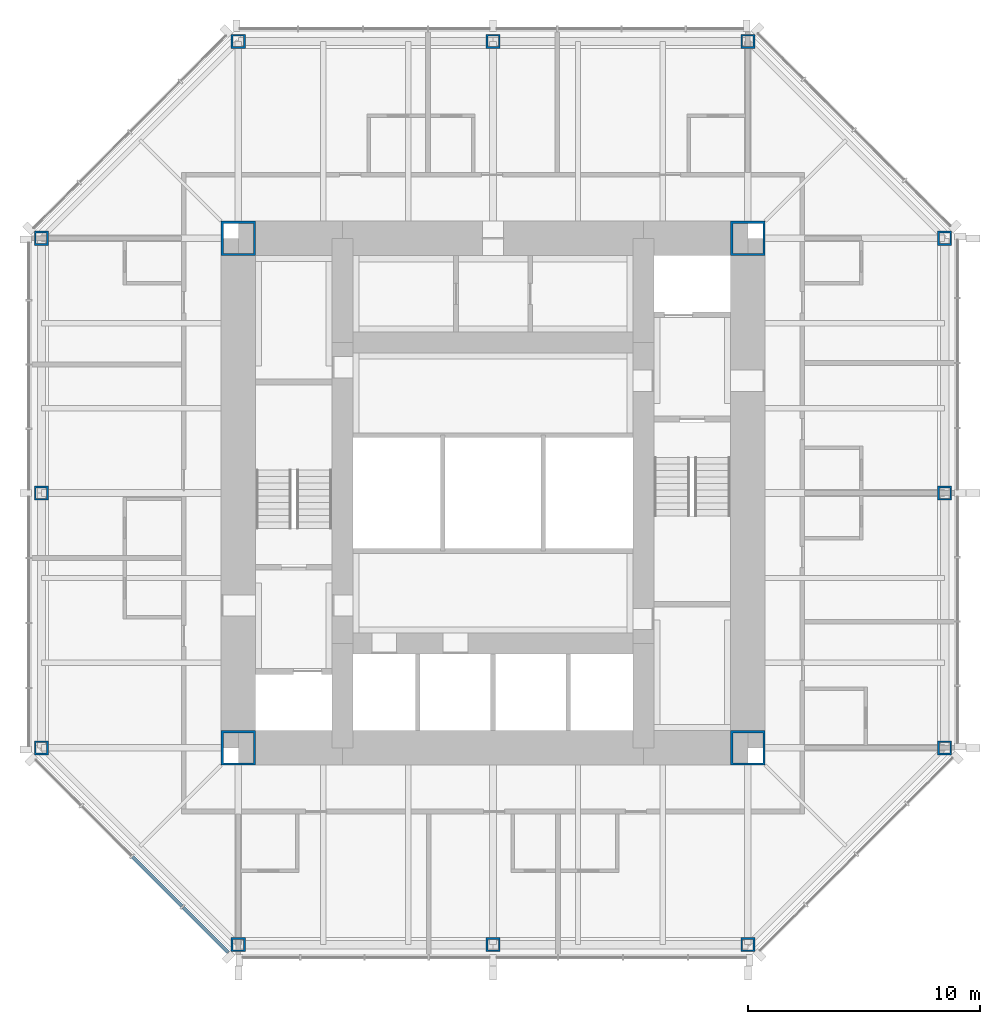
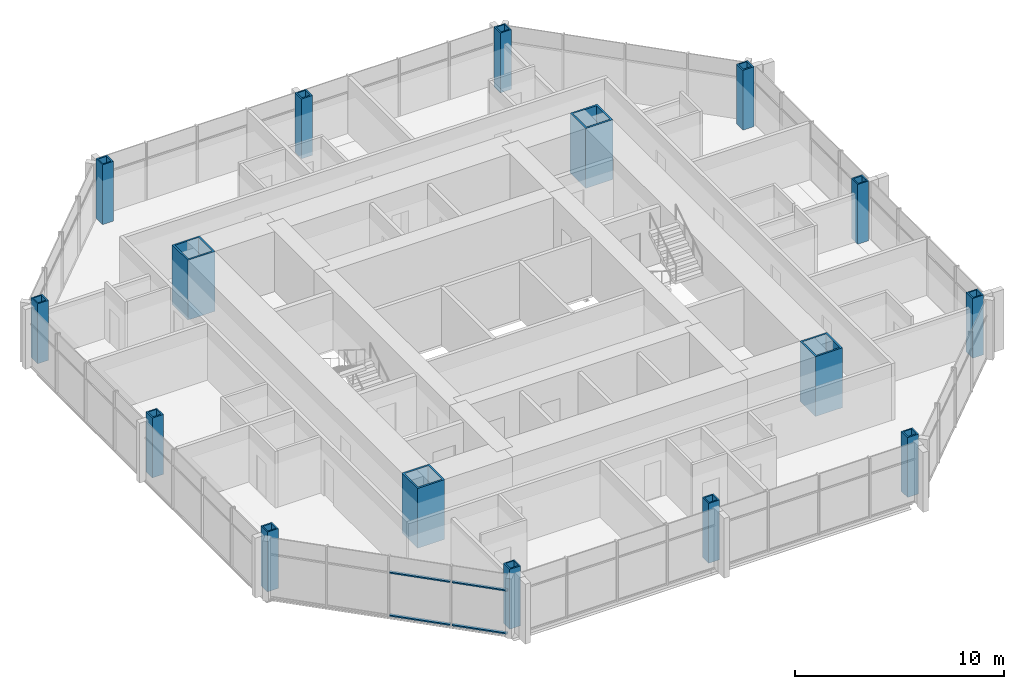
# One storey, part 1 of 11: 16 columns, 4 members, 1 element without a shape of its own.
"""IFC4 building model written with IfcOpenShell, lengths in metres."""

from ifc_helpers import new_model, si_unit, direction, frame, origin, origin_2d, place, context, subcontext, project, spatial, rectangle, hollow_rectangle, extrude, material, material_profile, profile_set, type_object, element, aggregate, save


model = new_model("IFC4")

# Units and contexts
model_context = context("Model", 3, precision=1e-05, world=origin(), true_north=direction((0.0, 1.0)))
body_context = subcontext(model_context, "Body", "Model", "MODEL_VIEW")
ifc_project = project(units=[si_unit("LENGTHUNIT", "METRE"), si_unit("AREAUNIT", "SQUARE_METRE"), si_unit("VOLUMEUNIT", "CUBIC_METRE"), si_unit("PLANEANGLEUNIT", "RADIAN"), si_unit("MASSUNIT", "GRAM", prefix="KILO")], contexts=[model_context])

# Site, building, storey
site_placement = place(None, origin())
site = spatial("IfcSite", under=ifc_project, at=site_placement, CompositionType="ELEMENT")
building_placement = place(site_placement, origin())
building = spatial("IfcBuilding", under=site, at=building_placement, Name="Trevanion Tower", CompositionType="ELEMENT")
storey_placement = place(building_placement, frame((0.0, 0.0, 218.699951171875)))
storey = spatial("IfcBuildingStorey", under=building, at=storey_placement, Name="L52", CompositionType="ELEMENT", Elevation=218.699951171875)

# Columns
ifc_material_1 = material(Name="Steel ASTM A572 Grade 50", Category="steel")
ifc_material_profile_1 = material_profile(ifc_material_1, hollow_rectangle(XDim=0.609619140625, YDim=0.609619140625, WallThickness=0.076171875, at=origin_2d()), Name="BOX24X24X3")
ifc_profile_set_1 = profile_set([ifc_material_profile_1], Name="Steel ASTM A572 Grade 50")
column_type_1 = type_object("IfcColumnType", Name="C5 BOX24X24X3", PredefinedType="COLUMN", material=ifc_profile_set_1)
for number, where, z_axis, x_axis, name in (
    (1, (-19.5, 0.0, 0.0), (0.0, 0.0, 1.0), (0.0, 1.0, 0.0), "C5 5/H L52"),
    (2, (-19.5, -11.0, 0.0), (0.0, 0.0, 1.0), (0.0, 1.0, 0.0), "C5 5/F L52"),
    (3, (-11.0, -19.5, 0.0), (0.0, 0.0, 1.0), (1.0, 0.0, 0.0), "C5 8/C L52"),
    (4, (0.0, -19.5, 0.0), (0.0, 0.0, 1.0), (1.0, 0.0, 0.0), "C5 10/C L52"),
    (5, (11.0, -19.5, 0.0), (0.0, 0.0, 1.0), (1.0, 0.0, 0.0), "C5 12/C L52"),
    (6, (19.5, -11.0, 0.0), (0.0, 0.0, 1.0), (0.0, 1.0, 0.0), "C5 15/F L52"),
    (7, (19.5, 0.0, 0.0), (0.0, 0.0, 1.0), (0.0, 1.0, 0.0), "C5 15/H L52"),
    (8, (19.5, 11.0, 0.0), (0.0, 0.0, 1.0), (0.0, 1.0, 0.0), "C5 15/K L52"),
    (9, (11.0, 19.5, 0.0), (0.0, 0.0, 1.0), (1.0, 0.0, 0.0), "C5 12/N L52"),
    (10, (0.0, 19.5, 0.0), (0.0, 0.0, 1.0), (1.0, 0.0, 0.0), "C5 10/N L52"),
    (11, (-11.0, 19.5, 0.0), (0.0, 0.0, 1.0), (1.0, 0.0, 0.0), "C5 8/N L52"),
    (12, (-19.5, 11.0, 0.0), (0.0, 0.0, 1.0), (0.0, 1.0, 0.0), "C5 5/K L52"),
):
    element("IfcColumn", number, at=place(storey_placement, frame(where, z_axis=z_axis, x_axis=x_axis)), inside=storey, type_object=column_type_1, Name=name, PredefinedType="COLUMN", context=body_context, shape_type="SweptSolid", body=[
        extrude(hollow_rectangle(XDim=0.609619140625, YDim=0.609619140625, WallThickness=0.076171875, at=origin_2d()), origin(), (0.0, 0.0, 1.0), 3.5),
    ])
ifc_material_2 = material(Name="Steel ASTM A572 Grade 50", Category="steel")
ifc_material_profile_2 = material_profile(ifc_material_2, hollow_rectangle(XDim=1.49853515625, YDim=1.49853515625, WallThickness=0.1015625, at=origin_2d()), Name="BOX59X59X4")
ifc_profile_set_2 = profile_set([ifc_material_profile_2], Name="Steel ASTM A572 Grade 50")
column_type_2 = type_object("IfcColumnType", Name="CB1 BOX59X59X4", PredefinedType="COLUMN", material=ifc_profile_set_2)
for number, where, z_axis, x_axis, name in (
    (13, (11.0, 11.0, 0.0), (0.0, 0.0, 1.0), (1.0, 0.0, 0.0), "CB1 NE L52"),
    (14, (-11.0, 11.0, 0.0), (0.0, 0.0, 1.0), (1.0, 0.0, 0.0), "CB1 NW L52"),
    (15, (-11.0, -11.0, 0.0), (0.0, 0.0, 1.0), (1.0, 0.0, 0.0), "CB1 SW L52"),
    (16, (11.0, -11.0, 0.0), (0.0, 0.0, 1.0), (1.0, 0.0, 0.0), "CB1 SE L52"),
):
    element("IfcColumn", number, at=place(storey_placement, frame(where, z_axis=z_axis, x_axis=x_axis)), inside=storey, type_object=column_type_2, Name=name, PredefinedType="COLUMN", context=body_context, shape_type="SweptSolid", body=[
        extrude(hollow_rectangle(XDim=1.49853515625, YDim=1.49853515625, WallThickness=0.1015625, at=origin_2d()), origin(), (0.0, 0.0, 1.0), 3.5),
    ])

# Curtain wall, members
ifc_material_3 = material(Name="Aluminium and glass", Category="aluminium")
curtain_wall_type = type_object("IfcCurtainWallType", Name="CW3 curtain wall", PredefinedType="USERDEFINED", material=ifc_material_3)
curtain_wall_placement = place(storey_placement, origin())
curtain_wall = element("IfcCurtainWall", 17, at=curtain_wall_placement, inside=storey, type_object=curtain_wall_type, Name="CW3 L52 5", ObjectType="UNITISED CURTAIN WALL", PredefinedType="USERDEFINED")
ifc_material_4 = material(Name="Aluminium extrusion, anodised bronze", Category="aluminium")
ifc_material_profile_3 = material_profile(ifc_material_4, rectangle(XDim=0.14990234375, YDim=0.074951171875, at=origin_2d()), Name="CW3 transom")
ifc_profile_set_3 = profile_set([ifc_material_profile_3], Name="Aluminium extrusion, anodised bronze")
member_type = type_object("IfcMemberType", Name="CW3 transom", PredefinedType="USERDEFINED", material=ifc_profile_set_3)
member_1_placement = place(storey_placement, frame((-15.56640625, -15.71142578125, -0.15234375), z_axis=(0.707106781187, -0.707106781187, 0.0), x_axis=(0.707106781187, 0.707106781187, 0.0)))
member_1 = element("IfcMember", 18, at=member_1_placement, type_object=member_type, Name="CW3 transom 3.1", ObjectType="TRANSOM", PredefinedType="USERDEFINED", context=body_context, shape_type="SweptSolid", body=[
    extrude(rectangle(XDim=0.14990234375, YDim=0.074951171875, at=origin_2d()), origin(), (0.0, 0.0, 1.0), 3.011474609375),
])
member_2_placement = place(storey_placement, frame((-15.56640625, -15.71142578125, 2.360107421875), z_axis=(0.707106781187, -0.707106781187, 0.0), x_axis=(0.707106781187, 0.707106781187, 0.0)))
member_2 = element("IfcMember", 19, at=member_2_placement, type_object=member_type, Name="CW3 transom 3.2", ObjectType="TRANSOM", PredefinedType="USERDEFINED", context=body_context, shape_type="SweptSolid", body=[
    extrude(rectangle(XDim=0.14990234375, YDim=0.074951171875, at=origin_2d()), origin(), (0.0, 0.0, 1.0), 3.011474609375),
])
member_3_placement = place(storey_placement, frame((-13.3837890625, -17.89404296875, -0.15234375), z_axis=(0.707106781187, -0.707106781187, 0.0), x_axis=(0.707106781187, 0.707106781187, 0.0)))
member_3 = element("IfcMember", 20, at=member_3_placement, type_object=member_type, Name="CW3 transom 4.1", ObjectType="TRANSOM", PredefinedType="USERDEFINED", context=body_context, shape_type="SweptSolid", body=[
    extrude(rectangle(XDim=0.14990234375, YDim=0.074951171875, at=origin_2d()), origin(), (0.0, 0.0, 1.0), 2.7490234375),
])
member_4_placement = place(storey_placement, frame((-13.3837890625, -17.89404296875, 2.360107421875), z_axis=(0.707106781187, -0.707106781187, 0.0), x_axis=(0.707106781187, 0.707106781187, 0.0)))
member_4 = element("IfcMember", 21, at=member_4_placement, type_object=member_type, Name="CW3 transom 4.2", ObjectType="TRANSOM", PredefinedType="USERDEFINED", context=body_context, shape_type="SweptSolid", body=[
    extrude(rectangle(XDim=0.14990234375, YDim=0.074951171875, at=origin_2d()), origin(), (0.0, 0.0, 1.0), 2.7490234375),
])
aggregate(curtain_wall, [member_1, member_2, member_3, member_4])

save(model, "model.ifc")
